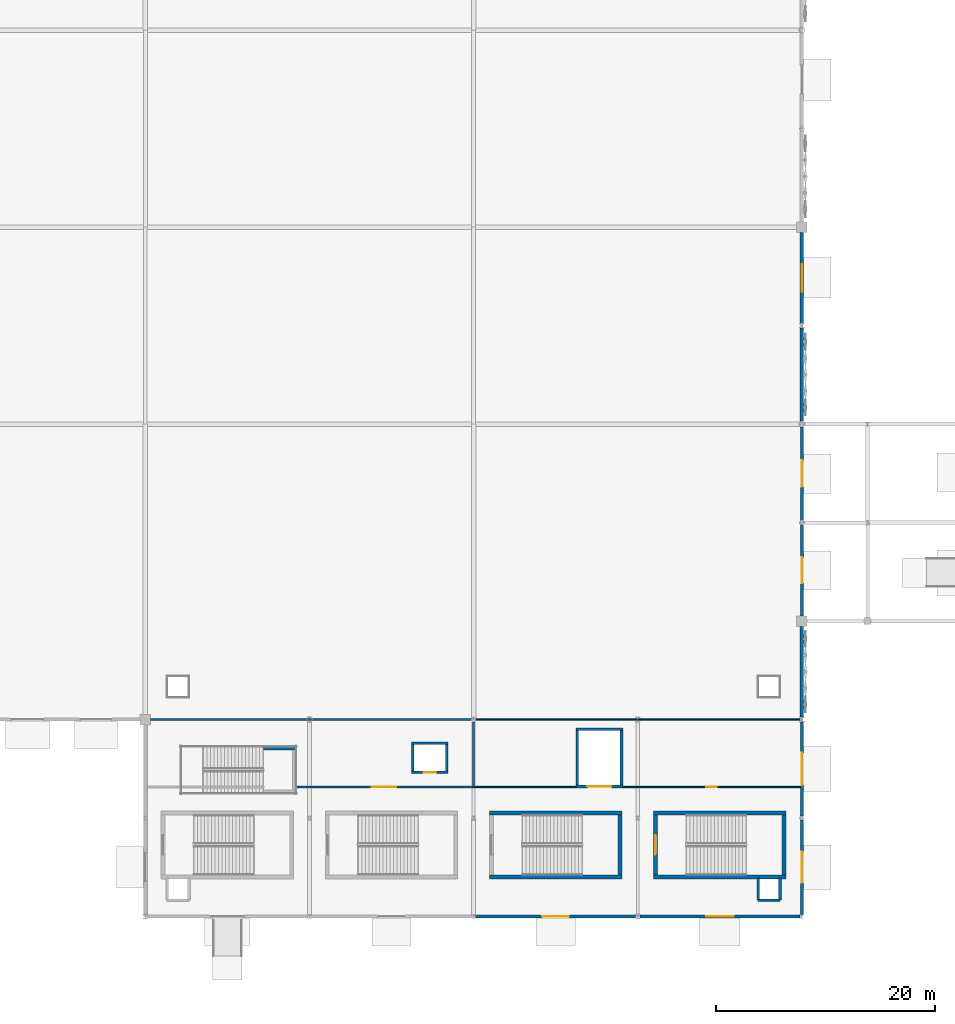
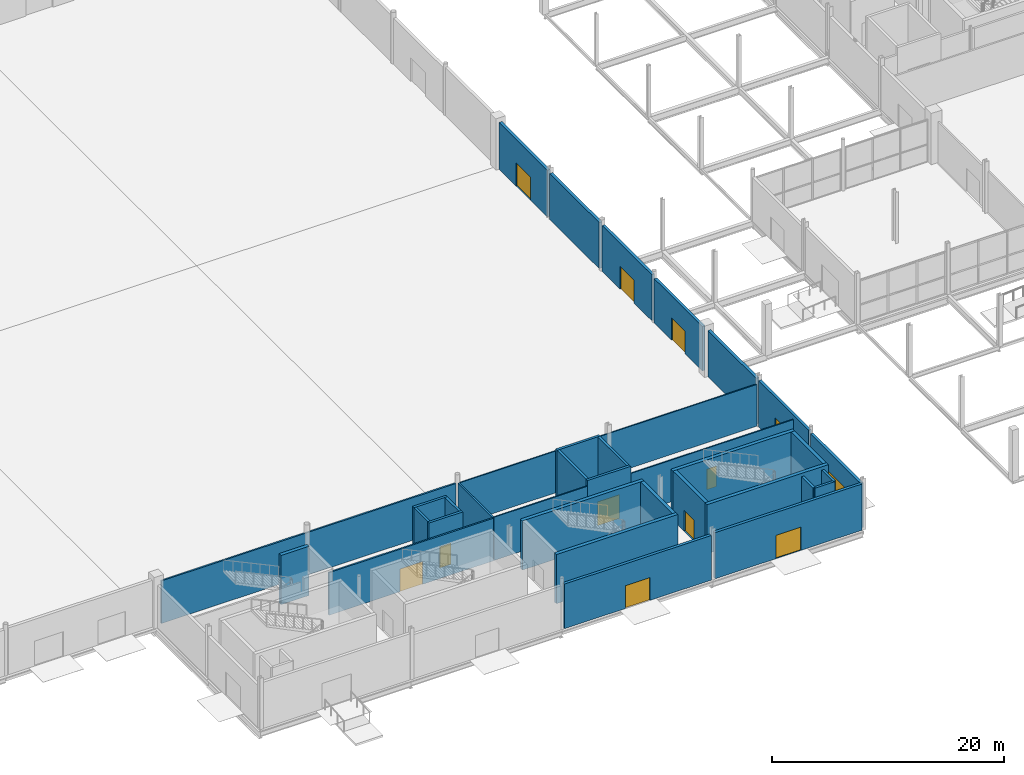
# One storey, part 54 of 94: 34 walls, 12 doors, 12 openings.
"""IFC4 building model written with IfcOpenShell, lengths in metres."""

from ifc_helpers import new_model, si_unit, direction, frame, frame_2d, origin, place, context, subcontext, project, spatial, rectangle, extrude, material, layer, layer_set, type_object, element, fill, save


model = new_model("IFC4")

# Units and contexts
model_context = context("Model", 3, precision=1e-05, world=origin(), true_north=direction((0.0, 1.0)))
body_context = subcontext(model_context, "Body", "Model", "MODEL_VIEW")
ifc_project = project(units=[si_unit("LENGTHUNIT", "METRE"), si_unit("AREAUNIT", "SQUARE_METRE"), si_unit("VOLUMEUNIT", "CUBIC_METRE"), si_unit("PLANEANGLEUNIT", "RADIAN"), si_unit("MASSUNIT", "GRAM", prefix="KILO")], contexts=[model_context])

# Site, building, storey
site_placement = place(None, origin())
site = spatial("IfcSite", under=ifc_project, at=site_placement, CompositionType="ELEMENT")
building_placement = place(site_placement, origin())
building = spatial("IfcBuilding", under=site, at=building_placement, Name="Qamarlyn Nura Convention Centre", CompositionType="ELEMENT")
storey_placement = place(building_placement, origin())
storey = spatial("IfcBuildingStorey", under=building, at=storey_placement, Name="L00", CompositionType="ELEMENT", Elevation=0.0)

# Walls
ifc_material_1 = material(Name="Concrete C50/60", Category="concrete")
ifc_layer_1 = layer(ifc_material_1, 0.35009765625, Name="WT-CORE-350")
ifc_layer_set_1 = layer_set([ifc_layer_1], Name="Concrete C50/60")
wall_type_1 = type_object("IfcWallType", Name="WT-CORE-350", PredefinedType="SHEAR", material=ifc_layer_set_1)
for number, where, z_axis, x_axis, name in (
    (1, (91.449951171875, 3.625, 0.0), (0.0, 0.0, 1.0), (1.0, 0.0, 0.0), "L00 stair core shear wall ST-07-S"),
    (2, (103.550048828125, 9.47509765625, 0.0), (0.0, 0.0, 1.0), (-1.0, 0.0, 0.0), "L00 stair core shear wall ST-07-N"),
):
    element("IfcWall", number, at=place(storey_placement, frame(where, z_axis=z_axis, x_axis=x_axis)), inside=storey, type_object=wall_type_1, Name=name, PredefinedType="SHEAR", context=body_context, shape_type="SweptSolid", body=[
        extrude(rectangle(XDim=12.10009765625, YDim=0.35009765625, at=frame_2d((6.050048828125, 0.0))), origin(), (0.0, 0.0, 1.0), 5.179931640625),
    ])
wall_1_placement = place(storey_placement, frame((103.375, 3.800048828125, 0.0), z_axis=(0.0, 0.0, 1.0), x_axis=(0.0, 1.0, 0.0)))
element("IfcWall", 3, at=wall_1_placement, inside=storey, type_object=wall_type_1, Name="L00 stair core shear wall ST-07-E", PredefinedType="SHEAR", context=body_context, shape_type="SweptSolid", body=[
    extrude(rectangle(XDim=5.5, YDim=0.35009765625, at=frame_2d((2.75, 0.0))), origin(), (0.0, 0.0, 1.0), 5.179931640625),
])
for number, where, z_axis, x_axis, name in (
    (4, (106.449951171875, 3.625, 0.0), (0.0, 0.0, 1.0), (1.0, 0.0, 0.0), "L00 stair core shear wall ST-08-S"),
    (5, (118.550048828125, 9.47509765625, 0.0), (0.0, 0.0, 1.0), (-1.0, 0.0, 0.0), "L00 stair core shear wall ST-08-N"),
):
    element("IfcWall", number, at=place(storey_placement, frame(where, z_axis=z_axis, x_axis=x_axis)), inside=storey, type_object=wall_type_1, Name=name, PredefinedType="SHEAR", context=body_context, shape_type="SweptSolid", body=[
        extrude(rectangle(XDim=12.10009765625, YDim=0.35009765625, at=frame_2d((6.050048828125, 0.0))), origin(), (0.0, 0.0, 1.0), 5.179931640625),
    ])

# Wall, opening, door
wall_2_placement = place(storey_placement, frame((106.625, 9.300048828125, 0.0), z_axis=(0.0, 0.0, 1.0), x_axis=(0.0, -1.0, 0.0)))
wall_2 = element("IfcWall", 6, at=wall_2_placement, inside=storey, type_object=wall_type_1, Name="L00 stair core shear wall ST-08-W", PredefinedType="SHEAR", context=body_context, shape_type="SweptSolid", body=[
    extrude(rectangle(XDim=5.5, YDim=0.35009765625, at=frame_2d((2.75, 0.0))), origin(), (0.0, 0.0, 1.0), 5.179931640625),
])
opening_1_placement = place(wall_2_placement, frame((1.85009765625, 0.0, 0.0)))
opening_1 = element("IfcOpeningElement", 7, at=opening_1_placement, cuts=wall_2, Name="Opening DS-026", PredefinedType="OPENING", context=body_context, shape_type="SweptSolid", body=[
    extrude(rectangle(XDim=1.800048828125, YDim=2.199951171875, at=frame_2d((0.89990234375, 1.10009765625))), frame((0.0, 0.18505859375, 0.0), z_axis=(0.0, -1.0, 0.0), x_axis=(1.0, 0.0, 0.0)), (0.0, 0.0, 1.0), 0.3701171875),
])
ifc_material_2 = material(Name="Galvanised fire-rated hollow steel door", Category="steel")
door_type_1 = type_object("IfcDoorType", Name="DR-STAIR-1800", OperationType="DOUBLE_DOOR_SINGLE_SWING", PredefinedType="DOOR", material=ifc_material_2)
door_1_placement = place(opening_1_placement, origin())
door_1 = element("IfcDoor", 8, at=door_1_placement, inside=storey, type_object=door_type_1, Name="L00 exit stair door ST-08 (DS-026)", OperationType="DOUBLE_DOOR_SINGLE_SWING", OverallHeight=2.199951171875, OverallWidth=1.800048828125, PredefinedType="DOOR", context=body_context, shape_type="SweptSolid", body=[
    extrude(rectangle(XDim=1.800048828125, YDim=2.199951171875, at=frame_2d((0.89990234375, 1.10009765625))), frame((0.0, 0.02490234375, 0.0), z_axis=(0.0, -1.0, 0.0), x_axis=(1.0, 0.0, 0.0)), (0.0, 0.0, 1.0), 0.050048828125),
])
fill(opening_1, door_1)

# Walls
wall_3_placement = place(storey_placement, frame((118.375, 3.800048828125, 0.0), z_axis=(0.0, 0.0, 1.0), x_axis=(0.0, 1.0, 0.0)))
element("IfcWall", 9, at=wall_3_placement, inside=storey, type_object=wall_type_1, Name="L00 stair core shear wall ST-08-E", PredefinedType="SHEAR", context=body_context, shape_type="SweptSolid", body=[
    extrude(rectangle(XDim=5.5, YDim=0.35009765625, at=frame_2d((2.75, 0.0))), origin(), (0.0, 0.0, 1.0), 5.179931640625),
])
wall_4_placement = place(storey_placement, frame((70.820068359375, 15.3798828125, 0.0), z_axis=(0.0, 0.0, 1.0), x_axis=(1.0, 0.0, 0.0)))
element("IfcWall", 10, at=wall_4_placement, inside=storey, type_object=wall_type_1, Name="L00 feature stair support fin wall ST-19-2", PredefinedType="SHEAR", context=body_context, shape_type="SweptSolid", body=[
    extrude(rectangle(XDim=2.800048828125, YDim=0.35009765625, at=frame_2d((1.39990234375, 0.0))), origin(), (0.0, 0.0, 1.0), 5.179931640625),
])

# Wall, opening, door
ifc_material_3 = material(Name="Concrete C40/50", Category="concrete")
ifc_layer_2 = layer(ifc_material_3, 0.280029296875, Name="WT-EXT-280")
ifc_layer_set_2 = layer_set([ifc_layer_2], Name="Concrete C40/50")
wall_type_2 = type_object("IfcWallType", Name="WT-EXT-280", PredefinedType="SOLIDWALL", material=ifc_layer_set_2)
wall_5_placement = place(storey_placement, frame((104.81298828125, 0.0, 0.0), z_axis=(0.0, 0.0, 1.0), x_axis=(-1.0, 0.0, 0.0)))
wall_5 = element("IfcWall", 11, at=wall_5_placement, inside=storey, type_object=wall_type_2, Name="L00 exterior facade wall WEXT-L00-1048-0-902-0", PredefinedType="SOLIDWALL", context=body_context, shape_type="SweptSolid", body=[
    extrude(rectangle(XDim=14.63525390625, YDim=0.280029296875, at=frame_2d((7.317626953125, 0.0))), origin(), (0.0, 0.0, 1.0), 4.698974609375),
])
opening_2_placement = place(wall_5_placement, frame((6.107666015625, 0.0, 0.0)))
opening_2 = element("IfcOpeningElement", 12, at=opening_2_placement, cuts=wall_5, Name="Opening E-18", PredefinedType="OPENING", context=body_context, shape_type="SweptSolid", body=[
    extrude(rectangle(XDim=2.419921875, YDim=2.39990234375, at=frame_2d((1.2099609375, 1.199951171875))), frame((0.0, 0.14990234375, 0.0), z_axis=(0.0, -1.0, 0.0), x_axis=(1.0, 0.0, 0.0)), (0.0, 0.0, 1.0), 0.300048828125),
])
ifc_material_4 = material(Name="Champagne-anodised marine aluminium", Category="aluminium")
door_type_2 = type_object("IfcDoorType", Name="DR-EXIT-2420", OperationType="DOUBLE_DOOR_SINGLE_SWING", PredefinedType="DOOR", material=ifc_material_4)
door_2_placement = place(opening_2_placement, origin())
door_2 = element("IfcDoor", 13, at=door_2_placement, inside=storey, type_object=door_type_2, Name="Final exit E-18", OperationType="DOUBLE_DOOR_SINGLE_SWING", OverallHeight=2.39990234375, OverallWidth=2.419921875, PredefinedType="DOOR", context=body_context, shape_type="SweptSolid", body=[
    extrude(rectangle(XDim=2.419921875, YDim=2.39990234375, at=frame_2d((1.2099609375, 1.199951171875))), frame((0.0, 0.02490234375, 0.0), z_axis=(0.0, -1.0, 0.0), x_axis=(1.0, 0.0, 0.0)), (0.0, 0.0, 1.0), 0.050048828125),
])
fill(opening_2, door_2)

wall_6_placement = place(storey_placement, frame((119.8154296875, 0.0, 0.0), z_axis=(0.0, 0.0, 1.0), x_axis=(-1.0, 0.0, 0.0)))
wall_6 = element("IfcWall", 14, at=wall_6_placement, inside=storey, type_object=wall_type_2, Name="L00 exterior facade wall WEXT-L00-1198-0-1052-0", PredefinedType="SOLIDWALL", context=body_context, shape_type="SweptSolid", body=[
    extrude(rectangle(XDim=14.62841796875, YDim=0.280029296875, at=frame_2d((7.314208984375, 0.0))), origin(), (0.0, 0.0, 1.0), 4.864990234375),
])
opening_3_placement = place(wall_6_placement, frame((6.064208984375, 0.0, 0.0)))
opening_3 = element("IfcOpeningElement", 15, at=opening_3_placement, cuts=wall_6, Name="Opening E-19", PredefinedType="OPENING", context=body_context, shape_type="SweptSolid", body=[
    extrude(rectangle(XDim=2.5, YDim=2.449951171875, at=frame_2d((1.25, 1.22509765625))), frame((0.0, 0.14990234375, 0.0), z_axis=(0.0, -1.0, 0.0), x_axis=(1.0, 0.0, 0.0)), (0.0, 0.0, 1.0), 0.300048828125),
])
door_type_3 = type_object("IfcDoorType", Name="DR-EXIT-2500", OperationType="DOUBLE_DOOR_SINGLE_SWING", PredefinedType="DOOR", material=ifc_material_4)
door_3_placement = place(opening_3_placement, origin())
door_3 = element("IfcDoor", 16, at=door_3_placement, inside=storey, type_object=door_type_3, Name="Final exit E-19", OperationType="DOUBLE_DOOR_SINGLE_SWING", OverallHeight=2.449951171875, OverallWidth=2.5, PredefinedType="DOOR", context=body_context, shape_type="SweptSolid", body=[
    extrude(rectangle(XDim=2.5, YDim=2.449951171875, at=frame_2d((1.25, 1.22509765625))), frame((0.0, 0.02490234375, 0.0), z_axis=(0.0, -1.0, 0.0), x_axis=(1.0, 0.0, 0.0)), (0.0, 0.0, 1.0), 0.050048828125),
])
fill(opening_3, door_3)

wall_7_placement = place(storey_placement, frame((120.0, 8.822265625, 0.0), z_axis=(0.0, 0.0, 1.0), x_axis=(0.0, -1.0, 0.0)))
wall_7 = element("IfcWall", 17, at=wall_7_placement, inside=storey, type_object=wall_type_2, Name="L00 exterior facade wall WEXT-L00-1200-88-1200-2", PredefinedType="SOLIDWALL", context=body_context, shape_type="SweptSolid", body=[
    extrude(rectangle(XDim=8.644287109375, YDim=0.280029296875, at=frame_2d((4.322265625, 0.0))), origin(), (0.0, 0.0, 1.0), 4.698974609375),
])
opening_4_placement = place(wall_7_placement, frame((2.897216796875, 0.0, 0.0)))
opening_4 = element("IfcOpeningElement", 18, at=opening_4_placement, cuts=wall_7, Name="Opening E-23", PredefinedType="OPENING", context=body_context, shape_type="SweptSolid", body=[
    extrude(rectangle(XDim=2.85009765625, YDim=2.6201171875, at=frame_2d((1.425048828125, 1.31005859375))), frame((0.0, 0.14990234375, 0.0), z_axis=(0.0, -1.0, 0.0), x_axis=(1.0, 0.0, 0.0)), (0.0, 0.0, 1.0), 0.300048828125),
])
door_type_4 = type_object("IfcDoorType", Name="DR-MAIN-2850", OperationType="DOUBLE_DOOR_SINGLE_SWING", PredefinedType="DOOR", material=ifc_material_4)
door_4_placement = place(opening_4_placement, origin())
door_4 = element("IfcDoor", 19, at=door_4_placement, inside=storey, type_object=door_type_4, Name="Final exit E-23", OperationType="DOUBLE_DOOR_SINGLE_SWING", OverallHeight=2.6201171875, OverallWidth=2.85009765625, PredefinedType="DOOR", context=body_context, shape_type="SweptSolid", body=[
    extrude(rectangle(XDim=2.85009765625, YDim=2.6201171875, at=frame_2d((1.425048828125, 1.31005859375))), frame((0.0, 0.02490234375, 0.0), z_axis=(0.0, -1.0, 0.0), x_axis=(1.0, 0.0, 0.0)), (0.0, 0.0, 1.0), 0.050048828125),
])
fill(opening_4, door_4)

wall_8_placement = place(storey_placement, frame((120.0, 17.78759765625, 0.0), z_axis=(0.0, 0.0, 1.0), x_axis=(0.0, -1.0, 0.0)))
wall_8 = element("IfcWall", 20, at=wall_8_placement, inside=storey, type_object=wall_type_2, Name="L00 exterior facade wall WEXT-L00-1200-178-1200-92", PredefinedType="SOLIDWALL", context=body_context, shape_type="SweptSolid", body=[
    extrude(rectangle(XDim=8.60986328125, YDim=0.280029296875, at=frame_2d((4.304931640625, 0.0))), origin(), (0.0, 0.0, 1.0), 4.864990234375),
])
opening_5_placement = place(wall_8_placement, frame((2.829833984375, 0.0, 0.0)))
opening_5 = element("IfcOpeningElement", 21, at=opening_5_placement, cuts=wall_8, Name="Opening E-24", PredefinedType="OPENING", context=body_context, shape_type="SweptSolid", body=[
    extrude(rectangle(XDim=2.949951171875, YDim=2.679931640625, at=frame_2d((1.47509765625, 1.33984375))), frame((0.0, 0.14990234375, 0.0), z_axis=(0.0, -1.0, 0.0), x_axis=(1.0, 0.0, 0.0)), (0.0, 0.0, 1.0), 0.300048828125),
])
door_type_5 = type_object("IfcDoorType", Name="DR-MAIN-2950", OperationType="DOUBLE_DOOR_SINGLE_SWING", PredefinedType="DOOR", material=ifc_material_4)
door_5_placement = place(opening_5_placement, origin())
door_5 = element("IfcDoor", 22, at=door_5_placement, inside=storey, type_object=door_type_5, Name="Final exit E-24", OperationType="DOUBLE_DOOR_SINGLE_SWING", OverallHeight=2.679931640625, OverallWidth=2.949951171875, PredefinedType="DOOR", context=body_context, shape_type="SweptSolid", body=[
    extrude(rectangle(XDim=2.949951171875, YDim=2.679931640625, at=frame_2d((1.47509765625, 1.33984375))), frame((0.0, 0.02490234375, 0.0), z_axis=(0.0, -1.0, 0.0), x_axis=(1.0, 0.0, 0.0)), (0.0, 0.0, 1.0), 0.050048828125),
])
fill(opening_5, door_5)

wall_9_placement = place(storey_placement, frame((120.0, 35.796875, 0.0), z_axis=(0.0, 0.0, 1.0), x_axis=(0.0, -1.0, 0.0)))
wall_9 = element("IfcWall", 23, at=wall_9_placement, inside=storey, type_object=wall_type_2, Name="L00 exterior facade wall WEXT-L00-1200-358-1200-275", PredefinedType="SOLIDWALL", context=body_context, shape_type="SweptSolid", body=[
    extrude(rectangle(XDim=8.32177734375, YDim=0.280029296875, at=frame_2d((4.160888671875, 0.0))), origin(), (0.0, 0.0, 1.0), 4.678955078125),
])
opening_6_placement = place(wall_9_placement, frame((2.98583984375, 0.0, 0.0)))
opening_6 = element("IfcOpeningElement", 24, at=opening_6_placement, cuts=wall_9, Name="Opening E-25", PredefinedType="OPENING", context=body_context, shape_type="SweptSolid", body=[
    extrude(rectangle(XDim=2.35009765625, YDim=2.3798828125, at=frame_2d((1.175048828125, 1.18994140625))), frame((0.0, 0.14990234375, 0.0), z_axis=(0.0, -1.0, 0.0), x_axis=(1.0, 0.0, 0.0)), (0.0, 0.0, 1.0), 0.300048828125),
])
door_type_6 = type_object("IfcDoorType", Name="DR-EXIT-2350", OperationType="DOUBLE_DOOR_SINGLE_SWING", PredefinedType="DOOR", material=ifc_material_4)
door_6_placement = place(opening_6_placement, origin())
door_6 = element("IfcDoor", 25, at=door_6_placement, inside=storey, type_object=door_type_6, Name="Final exit E-25", OperationType="DOUBLE_DOOR_SINGLE_SWING", OverallHeight=2.3798828125, OverallWidth=2.35009765625, PredefinedType="DOOR", context=body_context, shape_type="SweptSolid", body=[
    extrude(rectangle(XDim=2.35009765625, YDim=2.3798828125, at=frame_2d((1.175048828125, 1.18994140625))), frame((0.0, 0.02490234375, 0.0), z_axis=(0.0, -1.0, 0.0), x_axis=(1.0, 0.0, 0.0)), (0.0, 0.0, 1.0), 0.050048828125),
])
fill(opening_6, door_6)

wall_10_placement = place(storey_placement, frame((120.0, 44.74609375, 0.0), z_axis=(0.0, 0.0, 1.0), x_axis=(0.0, -1.0, 0.0)))
wall_10 = element("IfcWall", 26, at=wall_10_placement, inside=storey, type_object=wall_type_2, Name="L00 exterior facade wall WEXT-L00-1200-447-1200-362", PredefinedType="SOLIDWALL", context=body_context, shape_type="SweptSolid", body=[
    extrude(rectangle(XDim=8.54296875, YDim=0.280029296875, at=frame_2d((4.271484375, 0.0))), origin(), (0.0, 0.0, 1.0), 4.844970703125),
])
opening_7_placement = place(wall_10_placement, frame((3.061279296875, 0.0, 0.0)))
opening_7 = element("IfcOpeningElement", 27, at=opening_7_placement, cuts=wall_10, Name="Opening E-26", PredefinedType="OPENING", context=body_context, shape_type="SweptSolid", body=[
    extrude(rectangle(XDim=2.419921875, YDim=2.39990234375, at=frame_2d((1.2099609375, 1.199951171875))), frame((0.0, 0.14990234375, 0.0), z_axis=(0.0, -1.0, 0.0), x_axis=(1.0, 0.0, 0.0)), (0.0, 0.0, 1.0), 0.300048828125),
])
door_7_placement = place(opening_7_placement, origin())
door_7 = element("IfcDoor", 28, at=door_7_placement, inside=storey, type_object=door_type_2, Name="Final exit E-26", OperationType="DOUBLE_DOOR_SINGLE_SWING", OverallHeight=2.39990234375, OverallWidth=2.419921875, PredefinedType="DOOR", context=body_context, shape_type="SweptSolid", body=[
    extrude(rectangle(XDim=2.419921875, YDim=2.39990234375, at=frame_2d((1.2099609375, 1.199951171875))), frame((0.0, 0.02490234375, 0.0), z_axis=(0.0, -1.0, 0.0), x_axis=(1.0, 0.0, 0.0)), (0.0, 0.0, 1.0), 0.050048828125),
])
fill(opening_7, door_7)

# Walls
ifc_material_5 = material(Name="Concrete C40/50 with UAE coastal limestone stone facing", Category="masonry")
ifc_layer_3 = layer(ifc_material_5, 0.300048828125, Name="WT-LIME-300")
ifc_layer_set_3 = layer_set([ifc_layer_3], Name="Concrete C40/50 with UAE coastal limestone stone facing")
wall_type_3 = type_object("IfcWallType", Name="WT-LIME-300", PredefinedType="SOLIDWALL", material=ifc_layer_set_3)
wall_11_placement = place(storey_placement, frame((120.0, 26.52490234375, 0.0), z_axis=(0.0, 0.0, 1.0), x_axis=(0.0, -1.0, 0.0)))
element("IfcWall", 29, at=wall_11_placement, inside=storey, type_object=wall_type_3, Name="L00 exterior facade wall WEXT-L00-1200-265-1200-182", PredefinedType="SOLIDWALL", context=body_context, shape_type="SweptSolid", body=[
    extrude(rectangle(XDim=8.3125, YDim=0.300048828125, at=frame_2d((4.15625, 0.0))), origin(), (0.0, 0.0, 1.0), 4.845947265625),
])
wall_12_placement = place(storey_placement, frame((120.0, 53.78759765625, 0.0), z_axis=(0.0, 0.0, 1.0), x_axis=(0.0, -1.0, 0.0)))
element("IfcWall", 30, at=wall_12_placement, inside=storey, type_object=wall_type_3, Name="L00 exterior facade wall WEXT-L00-1200-538-1200-453", PredefinedType="SOLIDWALL", context=body_context, shape_type="SweptSolid", body=[
    extrude(rectangle(XDim=8.53369140625, YDim=0.300048828125, at=frame_2d((4.266845703125, 0.0))), origin(), (0.0, 0.0, 1.0), 4.845947265625),
])

# Wall, opening, door
wall_13_placement = place(storey_placement, frame((120.0, 62.52490234375, 0.0), z_axis=(0.0, 0.0, 1.0), x_axis=(0.0, -1.0, 0.0)))
wall_13 = element("IfcWall", 31, at=wall_13_placement, inside=storey, type_object=wall_type_3, Name="L00 exterior facade wall WEXT-L00-1200-625-1200-542", PredefinedType="SOLIDWALL", context=body_context, shape_type="SweptSolid", body=[
    extrude(rectangle(XDim=8.3125, YDim=0.300048828125, at=frame_2d((4.15625, 0.0))), origin(), (0.0, 0.0, 1.0), 4.9189453125),
])
opening_8_placement = place(wall_13_placement, frame((2.90625, 0.0, 0.0)))
opening_8 = element("IfcOpeningElement", 32, at=opening_8_placement, cuts=wall_13, Name="Opening E-27", PredefinedType="OPENING", context=body_context, shape_type="SweptSolid", body=[
    extrude(rectangle(XDim=2.5, YDim=2.449951171875, at=frame_2d((1.25, 1.22509765625))), frame((0.0, 0.16015625, 0.0), z_axis=(0.0, -1.0, 0.0), x_axis=(1.0, 0.0, 0.0)), (0.0, 0.0, 1.0), 0.320068359375),
])
door_8_placement = place(opening_8_placement, origin())
door_8 = element("IfcDoor", 33, at=door_8_placement, inside=storey, type_object=door_type_3, Name="Final exit E-27", OperationType="DOUBLE_DOOR_SINGLE_SWING", OverallHeight=2.449951171875, OverallWidth=2.5, PredefinedType="DOOR", context=body_context, shape_type="SweptSolid", body=[
    extrude(rectangle(XDim=2.5, YDim=2.449951171875, at=frame_2d((1.25, 1.22509765625))), frame((0.0, 0.02490234375, 0.0), z_axis=(0.0, -1.0, 0.0), x_axis=(1.0, 0.0, 0.0)), (0.0, 0.0, 1.0), 0.050048828125),
])
fill(opening_8, door_8)

ifc_material_6 = material(Name="Acoustic double-stud gypsum partition")
ifc_layer_4 = layer(ifc_material_6, 0.1201171875, Name="WT-PART-120")
ifc_layer_set_4 = layer_set([ifc_layer_4], Name="Acoustic double-stud gypsum partition")
wall_type_4 = type_object("IfcWallType", Name="WT-PART-120", PredefinedType="PARTITIONING", material=ifc_layer_set_4)
wall_14_placement = place(storey_placement, frame((119.860107421875, 11.840087890625, 0.0), z_axis=(0.0, 0.0, 1.0), x_axis=(-1.0, 0.0, 0.0)))
wall_14 = element("IfcWall", 34, at=wall_14_placement, inside=storey, type_object=wall_type_4, Name="L00 interior partition L00-CAFE-ESP-2-1", PredefinedType="PARTITIONING", context=body_context, shape_type="SweptSolid", body=[
    extrude(rectangle(XDim=16.210205078125, YDim=0.1201171875, at=frame_2d((8.10498046875, 0.0))), origin(), (0.0, 0.0, 1.0), 4.39208984375),
])
opening_9_placement = place(wall_14_placement, frame((7.625, 0.0, 0.0)))
opening_9 = element("IfcOpeningElement", 35, at=opening_9_placement, cuts=wall_14, Name="Opening D-L00-148", PredefinedType="OPENING", context=body_context, shape_type="SweptSolid", body=[
    extrude(rectangle(XDim=0.9599609375, YDim=2.14990234375, at=frame_2d((0.47998046875, 1.074951171875))), frame((0.0, 0.070068359375, 0.0), z_axis=(0.0, -1.0, 0.0), x_axis=(1.0, 0.0, 0.0)), (0.0, 0.0, 1.0), 0.14013671875),
])
ifc_material_7 = material(Name="Acoustic walnut timber leaf", Category="wood")
door_type_7 = type_object("IfcDoorType", Name="DR-ROOM-0960", OperationType="NOTDEFINED", PredefinedType="DOOR", material=ifc_material_7)
door_9_placement = place(opening_9_placement, origin())
door_9 = element("IfcDoor", 36, at=door_9_placement, inside=storey, type_object=door_type_7, Name="L00 Espresso Cafe door D-L00-148", OperationType="SINGLE_SWING_LEFT", OverallHeight=2.14990234375, OverallWidth=0.9599609375, PredefinedType="DOOR", context=body_context, shape_type="SweptSolid", body=[
    extrude(rectangle(XDim=0.9599609375, YDim=2.14990234375, at=frame_2d((0.47998046875, 1.074951171875))), frame((0.0, 0.02490234375, 0.0), z_axis=(0.0, -1.0, 0.0), x_axis=(1.0, 0.0, 0.0)), (0.0, 0.0, 1.0), 0.050048828125),
])
fill(opening_9, door_9)

# Walls
wall_15_placement = place(storey_placement, frame((99.35009765625, 11.840087890625, 0.0), z_axis=(0.0, 0.0, 1.0), x_axis=(-1.0, 0.0, 0.0)))
element("IfcWall", 37, at=wall_15_placement, inside=storey, type_object=wall_type_4, Name="L00 interior partition L00-CAFE-ESP-52-1", PredefinedType="PARTITIONING", context=body_context, shape_type="SweptSolid", body=[
    extrude(rectangle(XDim=9.31005859375, YDim=0.1201171875, at=frame_2d((4.655029296875, 0.0))), origin(), (0.0, 0.0, 1.0), 4.553955078125),
])
wall_16_placement = place(storey_placement, frame((90.2099609375, 18.0, 0.0), z_axis=(0.0, 0.0, 1.0), x_axis=(1.0, 0.0, 0.0)))
element("IfcWall", 38, at=wall_16_placement, inside=storey, type_object=wall_type_4, Name="L00 interior partition L00-CAFE-ESP-54-1", PredefinedType="PARTITIONING", context=body_context, shape_type="SweptSolid", body=[
    extrude(rectangle(XDim=29.580078125, YDim=0.1201171875, at=frame_2d((14.7900390625, 0.0))), origin(), (0.0, 0.0, 1.0), 4.39208984375),
])
ifc_material_8 = material(Name="Fire-rated acoustic gypsum board EI 60")
ifc_layer_5 = layer(ifc_material_8, 0.159912109375, Name="WT-PART-160")
ifc_layer_set_5 = layer_set([ifc_layer_5], Name="Fire-rated acoustic gypsum board EI 60")
wall_type_5 = type_object("IfcWallType", Name="WT-PART-160", PredefinedType="PARTITIONING", material=ifc_layer_set_5)
wall_17_placement = place(storey_placement, frame((60.47998046875, 18.0, 0.0), z_axis=(0.0, 0.0, 1.0), x_axis=(1.0, 0.0, 0.0)))
element("IfcWall", 39, at=wall_17_placement, inside=storey, type_object=wall_type_5, Name="L00 interior partition L00-FOY-WEST-1-1", PredefinedType="PARTITIONING", context=body_context, shape_type="SweptSolid", body=[
    extrude(rectangle(XDim=29.31005859375, YDim=0.159912109375, at=frame_2d((14.655029296875, 0.0))), origin(), (0.0, 0.0, 1.0), 4.48095703125),
])
wall_18_placement = place(storey_placement, frame((90.0, 17.7900390625, 0.0), z_axis=(0.0, 0.0, 1.0), x_axis=(0.0, -1.0, 0.0)))
element("IfcWall", 40, at=wall_18_placement, inside=storey, type_object=wall_type_5, Name="L00 interior partition L00-FOY-WEST-2-1", PredefinedType="PARTITIONING", context=body_context, shape_type="SweptSolid", body=[
    extrude(rectangle(XDim=5.949951171875, YDim=0.159912109375, at=frame_2d((2.97509765625, 0.0))), origin(), (0.0, 0.0, 1.0), 4.553955078125),
])

# Wall, opening, door
wall_19_placement = place(storey_placement, frame((90.0, 11.840087890625, 0.0), z_axis=(0.0, 0.0, 1.0), x_axis=(-1.0, 0.0, 0.0)))
wall_19 = element("IfcWall", 41, at=wall_19_placement, inside=storey, type_object=wall_type_5, Name="L00 interior partition L00-FOY-WEST-3-1", PredefinedType="PARTITIONING", context=body_context, shape_type="SweptSolid", body=[
    extrude(rectangle(XDim=16.3798828125, YDim=0.159912109375, at=frame_2d((8.18994140625, 0.0))), origin(), (0.0, 0.0, 1.0), 4.48095703125),
])
opening_10_placement = place(wall_19_placement, frame((7.06494140625, 0.0, 0.0)))
opening_10 = element("IfcOpeningElement", 42, at=opening_10_placement, cuts=wall_19, Name="Opening D-L00-147", PredefinedType="OPENING", context=body_context, shape_type="SweptSolid", body=[
    extrude(rectangle(XDim=2.25, YDim=2.39990234375, at=frame_2d((1.125, 1.199951171875))), frame((0.0, 0.08984375, 0.0), z_axis=(0.0, -1.0, 0.0), x_axis=(1.0, 0.0, 0.0)), (0.0, 0.0, 1.0), 0.179931640625),
])
door_type_8 = type_object("IfcDoorType", Name="DR-HALL-2250", OperationType="DOUBLE_DOOR_SINGLE_SWING", PredefinedType="DOOR", material=ifc_material_7)
door_10_placement = place(opening_10_placement, origin())
door_10 = element("IfcDoor", 43, at=door_10_placement, inside=storey, type_object=door_type_8, Name="L00 South Exhibition Pre-function Foyer door D-L00-147", OperationType="DOUBLE_DOOR_SINGLE_SWING", OverallHeight=2.39990234375, OverallWidth=2.25, PredefinedType="DOOR", context=body_context, shape_type="SweptSolid", body=[
    extrude(rectangle(XDim=2.25, YDim=2.39990234375, at=frame_2d((1.125, 1.199951171875))), frame((0.0, 0.02490234375, 0.0), z_axis=(0.0, -1.0, 0.0), x_axis=(1.0, 0.0, 0.0)), (0.0, 0.0, 1.0), 0.050048828125),
])
fill(opening_10, door_10)

ifc_material_9 = material(Name="Fire-rated acoustic gypsum board and mineral wool EI 120")
ifc_layer_6 = layer(ifc_material_9, 0.25, Name="WT-SHAFT-250")
ifc_layer_set_6 = layer_set([ifc_layer_6], Name="Fire-rated acoustic gypsum board and mineral wool EI 120")
wall_type_6 = type_object("IfcWallType", Name="WT-SHAFT-250", PredefinedType="SOLIDWALL", material=ifc_layer_set_6)
wall_20_placement = place(storey_placement, frame((84.324951171875, 13.175048828125, 0.0), z_axis=(0.0, 0.0, 1.0), x_axis=(1.0, 0.0, 0.0)))
wall_20 = element("IfcWall", 44, at=wall_20_placement, inside=storey, type_object=wall_type_6, Name="L00 lift shaft enclosure wall PL-06 -y", PredefinedType="SOLIDWALL", context=body_context, shape_type="SweptSolid", body=[
    extrude(rectangle(XDim=3.35009765625, YDim=0.25, at=frame_2d((1.675048828125, 0.0))), origin(), (0.0, 0.0, 1.0), 5.179931640625),
])
opening_11_placement = place(wall_20_placement, frame((1.125, 0.0, 0.0)))
opening_11 = element("IfcOpeningElement", 45, at=opening_11_placement, cuts=wall_20, Name="Opening LD-PL-06-L00", PredefinedType="OPENING", context=body_context, shape_type="SweptSolid", body=[
    extrude(rectangle(XDim=1.10009765625, YDim=2.199951171875, at=frame_2d((0.550048828125, 1.10009765625))), frame((0.0, 0.135009765625, 0.0), z_axis=(0.0, -1.0, 0.0), x_axis=(1.0, 0.0, 0.0)), (0.0, 0.0, 1.0), 0.27001953125),
])
ifc_material_10 = material(Name="Marine Grade 316 stainless steel", Category="steel")
door_type_9 = type_object("IfcDoorType", Name="DR-LD-PAX", OperationType="DOUBLE_DOOR_SLIDING", PredefinedType="DOOR", material=ifc_material_10)
door_11_placement = place(opening_11_placement, origin())
door_11 = element("IfcDoor", 46, at=door_11_placement, inside=storey, type_object=door_type_9, Name="Lift landing door LD-PL-06-L00", OperationType="DOUBLE_DOOR_SLIDING", OverallHeight=2.199951171875, OverallWidth=1.10009765625, PredefinedType="DOOR", context=body_context, shape_type="SweptSolid", body=[
    extrude(rectangle(XDim=1.10009765625, YDim=2.199951171875, at=frame_2d((0.550048828125, 1.10009765625))), frame((0.0, 0.02490234375, 0.0), z_axis=(0.0, -1.0, 0.0), x_axis=(1.0, 0.0, 0.0)), (0.0, 0.0, 1.0), 0.050048828125),
])
fill(opening_11, door_11)

# Walls
wall_21_placement = place(storey_placement, frame((87.675048828125, 15.824951171875, 0.0), z_axis=(0.0, 0.0, 1.0), x_axis=(-1.0, 0.0, 0.0)))
element("IfcWall", 47, at=wall_21_placement, inside=storey, type_object=wall_type_6, Name="L00 lift shaft enclosure wall PL-06 +y", PredefinedType="SOLIDWALL", context=body_context, shape_type="SweptSolid", body=[
    extrude(rectangle(XDim=3.35009765625, YDim=0.25, at=frame_2d((1.675048828125, 0.0))), origin(), (0.0, 0.0, 1.0), 5.179931640625),
])
for number, where, z_axis, x_axis, name in (
    (48, (84.449951171875, 15.699951171875, 0.0), (0.0, 0.0, 1.0), (0.0, -1.0, 0.0), "L00 lift shaft enclosure wall PL-06 -x"),
    (49, (87.550048828125, 13.300048828125, 0.0), (0.0, 0.0, 1.0), (0.0, 1.0, 0.0), "L00 lift shaft enclosure wall PL-06 +x"),
):
    element("IfcWall", number, at=place(storey_placement, frame(where, z_axis=z_axis, x_axis=x_axis)), inside=storey, type_object=wall_type_6, Name=name, PredefinedType="SOLIDWALL", context=body_context, shape_type="SweptSolid", body=[
        extrude(rectangle(XDim=2.39990234375, YDim=0.25, at=frame_2d((1.199951171875, 0.0))), origin(), (0.0, 0.0, 1.0), 5.179931640625),
    ])

# Wall, opening, door
wall_22_placement = place(storey_placement, frame((99.35009765625, 11.875, 0.0), z_axis=(0.0, 0.0, 1.0), x_axis=(1.0, 0.0, 0.0)))
wall_22 = element("IfcWall", 50, at=wall_22_placement, inside=storey, type_object=wall_type_6, Name="L00 lift shaft enclosure wall FL-02 -y", PredefinedType="SOLIDWALL", context=body_context, shape_type="SweptSolid", body=[
    extrude(rectangle(XDim=4.2998046875, YDim=0.25, at=frame_2d((2.14990234375, 0.0))), origin(), (0.0, 0.0, 1.0), 5.179931640625),
])
opening_12_placement = place(wall_22_placement, frame((1.050048828125, 0.0, 0.0)))
opening_12 = element("IfcOpeningElement", 51, at=opening_12_placement, cuts=wall_22, Name="Opening LD-FL-02-L00", PredefinedType="OPENING", context=body_context, shape_type="SweptSolid", body=[
    extrude(rectangle(XDim=2.199951171875, YDim=2.5, at=frame_2d((1.10009765625, 1.25))), frame((0.0, 0.135009765625, 0.0), z_axis=(0.0, -1.0, 0.0), x_axis=(1.0, 0.0, 0.0)), (0.0, 0.0, 1.0), 0.27001953125),
])
door_type_10 = type_object("IfcDoorType", Name="DR-LD-FRT", OperationType="DOUBLE_DOOR_SLIDING", PredefinedType="DOOR", material=ifc_material_2)
door_12_placement = place(opening_12_placement, origin())
door_12 = element("IfcDoor", 52, at=door_12_placement, inside=storey, type_object=door_type_10, Name="Lift landing door LD-FL-02-L00", OperationType="DOUBLE_DOOR_SLIDING", OverallHeight=2.5, OverallWidth=2.199951171875, PredefinedType="DOOR", context=body_context, shape_type="SweptSolid", body=[
    extrude(rectangle(XDim=2.199951171875, YDim=2.5, at=frame_2d((1.10009765625, 1.25))), frame((0.0, 0.02490234375, 0.0), z_axis=(0.0, -1.0, 0.0), x_axis=(1.0, 0.0, 0.0)), (0.0, 0.0, 1.0), 0.050048828125),
])
fill(opening_12, door_12)

# Walls
wall_23_placement = place(storey_placement, frame((103.64990234375, 17.125, 0.0), z_axis=(0.0, 0.0, 1.0), x_axis=(-1.0, 0.0, 0.0)))
element("IfcWall", 53, at=wall_23_placement, inside=storey, type_object=wall_type_6, Name="L00 lift shaft enclosure wall FL-02 +y", PredefinedType="SOLIDWALL", context=body_context, shape_type="SweptSolid", body=[
    extrude(rectangle(XDim=4.2998046875, YDim=0.25, at=frame_2d((2.14990234375, 0.0))), origin(), (0.0, 0.0, 1.0), 5.179931640625),
])
for number, where, z_axis, x_axis, name in (
    (54, (99.47509765625, 17.0, 0.0), (0.0, 0.0, 1.0), (0.0, -1.0, 0.0), "L00 lift shaft enclosure wall FL-02 -x"),
    (55, (103.52490234375, 12.0, 0.0), (0.0, 0.0, 1.0), (0.0, 1.0, 0.0), "L00 lift shaft enclosure wall FL-02 +x"),
):
    element("IfcWall", number, at=place(storey_placement, frame(where, z_axis=z_axis, x_axis=x_axis)), inside=storey, type_object=wall_type_6, Name=name, PredefinedType="SOLIDWALL", context=body_context, shape_type="SweptSolid", body=[
        extrude(rectangle(XDim=5.0, YDim=0.25, at=frame_2d((2.5, 0.0))), origin(), (0.0, 0.0, 1.0), 5.179931640625),
    ])
for number, where, z_axis, x_axis, name in (
    (56, (116.0, 1.5, 0.0), (0.0, 0.0, 1.0), (1.0, 0.0, 0.0), "L00 MEP riser shaft wall 10-S"),
    (57, (116.0, 3.5, 0.0), (0.0, 0.0, 1.0), (0.0, -1.0, 0.0), "L00 MEP riser shaft wall 10-W"),
    (58, (118.0, 1.5, 0.0), (0.0, 0.0, 1.0), (0.0, 1.0, 0.0), "L00 MEP riser shaft wall 10-E"),
):
    element("IfcWall", number, at=place(storey_placement, frame(where, z_axis=z_axis, x_axis=x_axis)), inside=storey, type_object=wall_type_6, Name=name, PredefinedType="SOLIDWALL", context=body_context, shape_type="SweptSolid", body=[
        extrude(rectangle(XDim=2.0, YDim=0.25, at=frame_2d((1.0, 0.0))), origin(), (0.0, 0.0, 1.0), 4.830078125),
    ])

save(model, "model.ifc")
